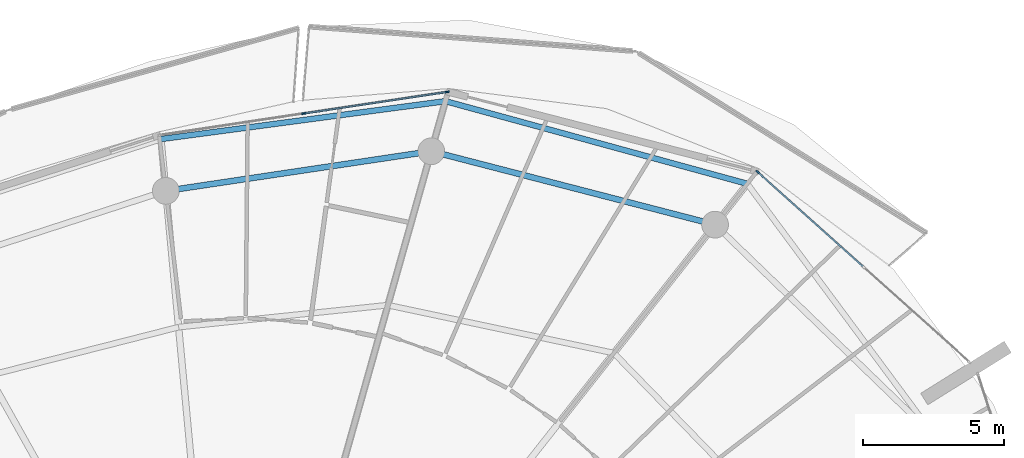
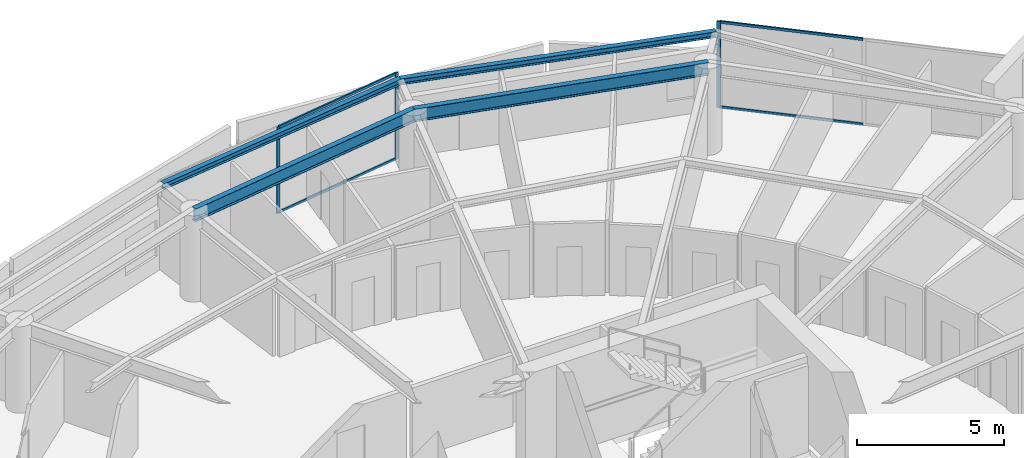
# One storey, part 15 of 29: 7 members, 4 beams, 2 elements without a shape of their own.
"""IFC4 building model written with IfcOpenShell, lengths in metres."""

from ifc_helpers import new_model, si_unit, direction, frame, origin, origin_2d, place, context, subcontext, project, spatial, rectangle, i_section, extrude, material, layer, layer_set, material_profile, profile_set, type_object, element, aggregate, save


model = new_model("IFC4")

# Units and contexts
model_context = context("Model", 3, precision=1e-05, world=origin(), true_north=direction((0.0, 1.0)))
body_context = subcontext(model_context, "Body", "Model", "MODEL_VIEW")
ifc_project = project(units=[si_unit("LENGTHUNIT", "METRE"), si_unit("AREAUNIT", "SQUARE_METRE"), si_unit("VOLUMEUNIT", "CUBIC_METRE"), si_unit("PLANEANGLEUNIT", "RADIAN"), si_unit("MASSUNIT", "GRAM", prefix="KILO")], contexts=[model_context])

# Site, building, storey
site_placement = place(None, origin())
site = spatial("IfcSite", under=ifc_project, at=site_placement, CompositionType="ELEMENT")
building_placement = place(site_placement, origin())
building = spatial("IfcBuilding", under=site, at=building_placement, Name="Kazma Halo Residences", CompositionType="ELEMENT")
storey_placement = place(building_placement, frame((0.0, 0.0, 252.10009765625)))
storey = spatial("IfcBuildingStorey", under=building, at=storey_placement, Name="L63", CompositionType="ELEMENT", Elevation=252.10009765625)

# Beams
ifc_material_1 = material(Name="Steel S355", Category="steel")
ifc_material_profile_1 = material_profile(ifc_material_1, i_section(OverallWidth=0.201904296875, OverallDepth=0.2470703125, WebThickness=0.00732421875, FlangeThickness=0.010986328125, FilletRadius=0.011962890625, at=origin_2d()), Name="W250x49.1")
ifc_profile_set_1 = profile_set([ifc_material_profile_1], Name="Steel S355")
beam_type_1 = type_object("IfcBeamType", Name="BM-BAL-CANT", PredefinedType="BEAM", material=ifc_profile_set_1)
beam_1_placement = place(storey_placement, frame((65.992431640625, 64.823486328125, 3.46630859375), z_axis=(-0.964514665976, 0.264029277006, 0.0), x_axis=(-0.264029277006, -0.964514665976, 0.0)))
element("IfcBeam", 1, at=beam_1_placement, inside=storey, type_object=beam_type_1, Name="L63 wave-balcony tie beam 02", PredefinedType="BEAM", context=body_context, shape_type="SweptSolid", body=[
    extrude(i_section(OverallWidth=0.201904296875, OverallDepth=0.2470703125, WebThickness=0.00732421875, FlangeThickness=0.010986328125, FilletRadius=0.011962890625, at=origin_2d()), origin(), (0.0, 0.0, 1.0), 11.1220703125),
])
beam_2_placement = place(storey_placement, frame((55.26513671875, 67.760009765625, 3.46630859375), z_axis=(-0.991234798397, -0.132111976922, 0.0), x_axis=(0.132111976922, -0.991234798397, 0.0)))
element("IfcBeam", 2, at=beam_2_placement, inside=storey, type_object=beam_type_1, Name="L63 wave-balcony tie beam 03", PredefinedType="BEAM", context=body_context, shape_type="SweptSolid", body=[
    extrude(i_section(OverallWidth=0.201904296875, OverallDepth=0.2470703125, WebThickness=0.00732421875, FlangeThickness=0.010986328125, FilletRadius=0.011962890625, at=origin_2d()), origin(), (0.0, 0.0, 1.0), 10.198974609375),
])
ifc_material_profile_2 = material_profile(ifc_material_1, i_section(OverallWidth=0.208984375, OverallDepth=0.532958984375, WebThickness=0.01025390625, FlangeThickness=0.015625, FilletRadius=0.01611328125, at=origin_2d()), Name="W530x92")
ifc_profile_set_2 = profile_set([ifc_material_profile_2], Name="Steel S355")
beam_type_2 = type_object("IfcBeamType", Name="BM-SPN-W530", PredefinedType="BEAM", material=ifc_profile_set_2)
beam_3_placement = place(storey_placement, frame((64.84716796875, 63.37060546875, 3.323486328125), z_axis=(-0.968126042852, 0.250463500639, 0.0), x_axis=(-0.250463500639, -0.968126042852, 0.0)))
element("IfcBeam", 3, at=beam_3_placement, inside=storey, type_object=beam_type_2, Name="L63 perimeter ring beam 02", PredefinedType="BEAM", context=body_context, shape_type="SweptSolid", body=[
    extrude(i_section(OverallWidth=0.208984375, OverallDepth=0.532958984375, WebThickness=0.01025390625, FlangeThickness=0.015625, FilletRadius=0.01611328125, at=origin_2d()), origin(), (0.0, 0.0, 1.0), 10.416259765625),
])
beam_4_placement = place(storey_placement, frame((54.762939453125, 65.9794921875, 3.323486328125), z_axis=(-0.989035441627, -0.147678350495, 0.0), x_axis=(0.147678350495, -0.989035441627, 0.0)))
element("IfcBeam", 4, at=beam_4_placement, inside=storey, type_object=beam_type_2, Name="L63 perimeter ring beam 03", PredefinedType="BEAM", context=body_context, shape_type="SweptSolid", body=[
    extrude(i_section(OverallWidth=0.208984375, OverallDepth=0.532958984375, WebThickness=0.01025390625, FlangeThickness=0.015625, FilletRadius=0.01611328125, at=origin_2d()), origin(), (0.0, 0.0, 1.0), 9.538818359375),
])

# Curtain wall, member
ifc_material_2 = material(Name="Aluminium AW-6063 T6 and Triple-Silver Low-E Glass", Category="aluminium")
ifc_layer = layer(ifc_material_2, 0.139892578125)
ifc_layer_set = layer_set([ifc_layer], Name="Aluminium AW-6063 T6 and Triple-Silver Low-E Glass")
curtain_wall_type = type_object("IfcCurtainWallType", Name="CW-SYS-5", PredefinedType="NOTDEFINED", material=ifc_layer_set)
curtain_wall_1_placement = place(storey_placement, origin())
curtain_wall_1 = element("IfcCurtainWall", 5, at=curtain_wall_1_placement, inside=storey, type_object=curtain_wall_type, Name="L63 unitised curtain wall B01", PredefinedType="NOTDEFINED")
ifc_material_3 = material(Name="Aluminium AW-6063 T6", Category="aluminium")
ifc_material_profile_3 = material_profile(ifc_material_3, rectangle(XDim=0.06005859375, YDim=0.139892578125, at=origin_2d()), Name="CWM-60x140")
ifc_profile_set_3 = profile_set([ifc_material_profile_3], Name="Aluminium AW-6063 T6")
member_type_1 = type_object("IfcMemberType", Name="CW-SYS-5-MUL", PredefinedType="MULLION", material=ifc_profile_set_3)
member_1_placement = place(storey_placement, frame((66.3603515625, 65.241455078125, 0.0), z_axis=(0.0, 0.0, 1.0), x_axis=(-0.667804826958, -0.744336424671, 0.0)))
member_1 = element("IfcMember", 6, at=member_1_placement, type_object=member_type_1, Name="CWS-5 mullion 3", PredefinedType="MULLION", context=body_context, shape_type="SweptSolid", body=[
    extrude(rectangle(XDim=0.06005859375, YDim=0.139892578125, at=origin_2d()), origin(), (0.0, 0.0, 1.0), 3.58984375),
])

# Curtain wall, members
curtain_wall_2_placement = place(storey_placement, origin())
curtain_wall_2 = element("IfcCurtainWall", 7, at=curtain_wall_2_placement, inside=storey, type_object=curtain_wall_type, Name="L63 unitised curtain wall B03", PredefinedType="NOTDEFINED")
member_2_placement = place(storey_placement, frame((55.328857421875, 68.087158203125, 0.0), z_axis=(0.0, 0.0, 1.0), x_axis=(0.148697080374, -0.988882792998, 0.0)))
member_2 = element("IfcMember", 8, at=member_2_placement, type_object=member_type_1, Name="CWS-5 mullion 1", PredefinedType="MULLION", context=body_context, shape_type="SweptSolid", body=[
    extrude(rectangle(XDim=0.06005859375, YDim=0.139892578125, at=origin_2d()), origin(), (0.0, 0.0, 1.0), 3.58984375),
])
member_3_placement = place(storey_placement, frame((50.2265625, 67.320068359375, 0.0), z_axis=(0.0, 0.0, 1.0), x_axis=(0.148697080374, -0.988882792998, 0.0)))
member_3 = element("IfcMember", 9, at=member_3_placement, type_object=member_type_1, Name="CWS-5 mullion 2", PredefinedType="MULLION", context=body_context, shape_type="SweptSolid", body=[
    extrude(rectangle(XDim=0.06005859375, YDim=0.139892578125, at=origin_2d()), origin(), (0.0, 0.0, 1.0), 3.58984375),
])

# Member
ifc_material_profile_4 = material_profile(ifc_material_3, rectangle(XDim=0.06005859375, YDim=0.10498046875, at=origin_2d()), Name="CWT-60x105")
ifc_profile_set_4 = profile_set([ifc_material_profile_4], Name="Aluminium AW-6063 T6")
member_type_2 = type_object("IfcMemberType", Name="CW-SYS-5-TRN", PredefinedType="USERDEFINED", material=ifc_profile_set_4)
member_4_placement = place(storey_placement, frame((70.099609375, 61.88671875, 0.02978515625), z_axis=(-0.744350700793, 0.667788914425, 0.0), x_axis=(-0.667788914425, -0.744350700793, 0.0)))
member_4 = element("IfcMember", 10, at=member_4_placement, type_object=member_type_2, Name="CWS-5 transom 2.1", ObjectType="TRANSOM", PredefinedType="USERDEFINED", context=body_context, shape_type="SweptSolid", body=[
    extrude(rectangle(XDim=0.06005859375, YDim=0.10498046875, at=origin_2d()), origin(), (0.0, 0.0, 1.0), 4.99365234375),
])

member_5_placement = place(storey_placement, frame((70.099609375, 61.88671875, 3.559814453125), z_axis=(-0.744350700793, 0.667788914425, 0.0), x_axis=(-0.667788914425, -0.744350700793, 0.0)))
member_5 = element("IfcMember", 11, at=member_5_placement, type_object=member_type_2, Name="CWS-5 transom 2.2", ObjectType="TRANSOM", PredefinedType="USERDEFINED", context=body_context, shape_type="SweptSolid", body=[
    extrude(rectangle(XDim=0.06005859375, YDim=0.10498046875, at=origin_2d()), origin(), (0.0, 0.0, 1.0), 4.99365234375),
])

aggregate(curtain_wall_1, [member_1, member_4, member_5])

member_6_placement = place(storey_placement, frame((55.29931640625, 68.082763671875, 0.02978515625), z_axis=(-0.988883972013, -0.148689239341, 0.0), x_axis=(0.148689239341, -0.988883972013, 0.0)))
member_6 = element("IfcMember", 12, at=member_6_placement, type_object=member_type_2, Name="CWS-5 transom 1.1", ObjectType="TRANSOM", PredefinedType="USERDEFINED", context=body_context, shape_type="SweptSolid", body=[
    extrude(rectangle(XDim=0.06005859375, YDim=0.10498046875, at=origin_2d()), origin(), (0.0, 0.0, 1.0), 5.099853515625),
])

member_7_placement = place(storey_placement, frame((55.29931640625, 68.082763671875, 3.559814453125), z_axis=(-0.988883972013, -0.148689239341, 0.0), x_axis=(0.148689239341, -0.988883972013, 0.0)))
member_7 = element("IfcMember", 13, at=member_7_placement, type_object=member_type_2, Name="CWS-5 transom 1.2", ObjectType="TRANSOM", PredefinedType="USERDEFINED", context=body_context, shape_type="SweptSolid", body=[
    extrude(rectangle(XDim=0.06005859375, YDim=0.10498046875, at=origin_2d()), origin(), (0.0, 0.0, 1.0), 5.099853515625),
])

aggregate(curtain_wall_2, [member_2, member_3, member_6, member_7])

save(model, "model.ifc")
